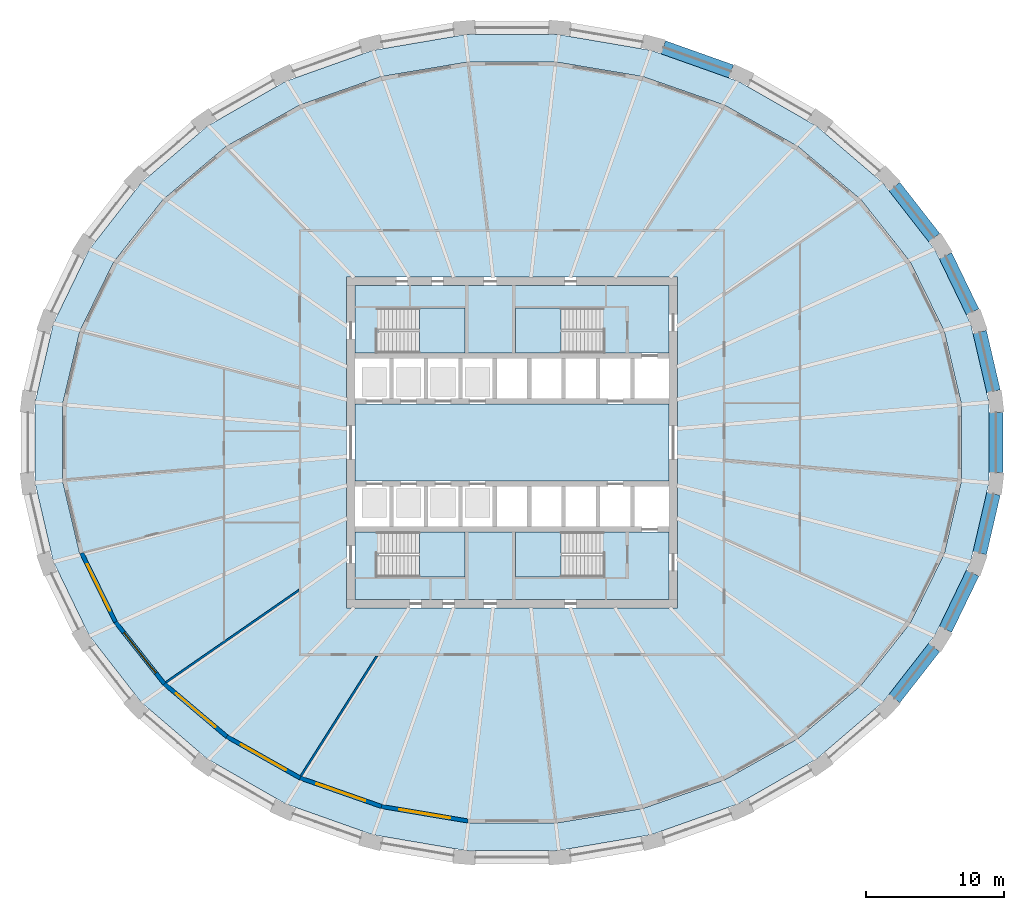
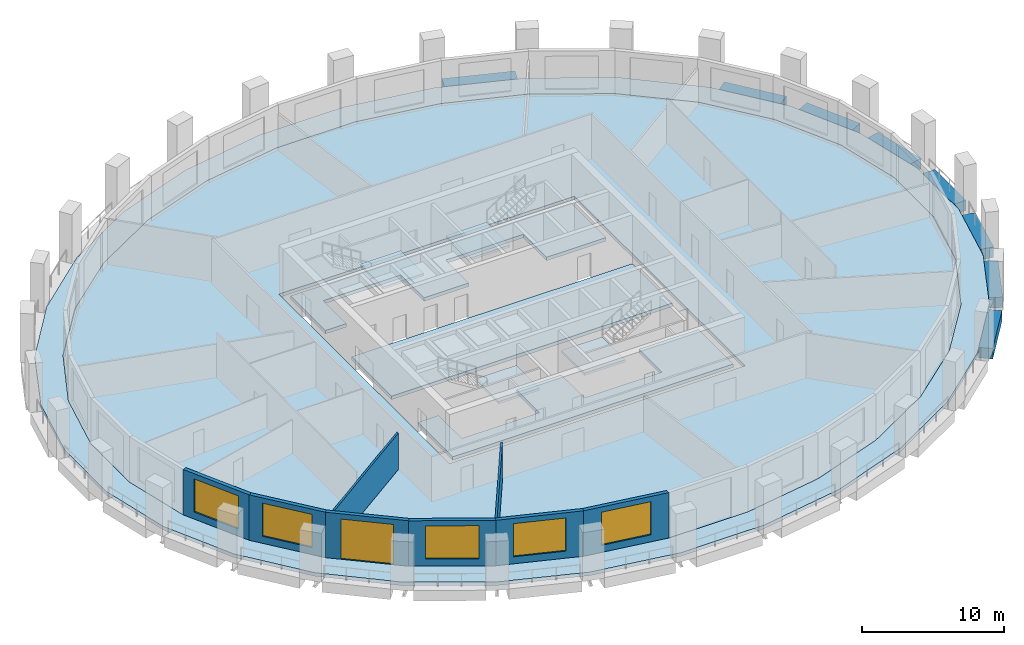
# One storey, part 2 of 10: 9 slabs, 8 beams, 8 walls, 5 windows, 1 door, 6 openings, 4 elements without a shape of their own.
"""IFC4 building model written with IfcOpenShell, lengths in metres."""

from ifc_helpers import new_model, si_unit, direction, frame, frame_2d, origin, origin_2d, place, context, subcontext, project, spatial, polyline, rectangle, outline, extrude, material, layer, layer_set, material_profile, profile_set, type_object, element, fill, aggregate, save


model = new_model("IFC4")

# Units and contexts
model_context = context("Model", 3, precision=1e-05, world=origin(), true_north=direction((0.0, 1.0)))
body_context = subcontext(model_context, "Body", "Model", "MODEL_VIEW")
ifc_project = project(units=[si_unit("LENGTHUNIT", "METRE"), si_unit("AREAUNIT", "SQUARE_METRE"), si_unit("VOLUMEUNIT", "CUBIC_METRE"), si_unit("PLANEANGLEUNIT", "RADIAN"), si_unit("MASSUNIT", "GRAM", prefix="KILO")], contexts=[model_context])

# Site, building, storey
site_placement = place(None, origin())
site = spatial("IfcSite", under=ifc_project, at=site_placement, CompositionType="ELEMENT")
building_placement = place(site_placement, origin())
building = spatial("IfcBuilding", under=site, at=building_placement, Name="Halqa Exchange Tower", CompositionType="ELEMENT")
storey_placement = place(building_placement, frame((0.0, 0.0, 108.699951171875)))
storey = spatial("IfcBuildingStorey", under=building, at=storey_placement, Name="L24", CompositionType="ELEMENT", Elevation=108.699951171875)

# Beams
ifc_material_1 = material(Name="Concrete C60/75", Category="concrete")
ifc_material_profile = material_profile(ifc_material_1, rectangle(XDim=1.0, YDim=0.89990234375, at=origin_2d()), Name="1000 x 900")
ifc_profile_set = profile_set([ifc_material_profile], Name="Concrete C60/75")
beam_type = type_object("IfcBeamType", Name="RC spandrel beam 1000 x 900 C60/75", PredefinedType="SPANDREL", material=ifc_profile_set)
beam_1_placement = place(storey_placement, frame((34.94384765625, 3.7216796875, -0.449951171875), z_axis=(-0.226062276551, 0.974112851327, 0.0), x_axis=(-0.974112851327, -0.226062276551, 0.0)))
element("IfcBeam", 1, at=beam_1_placement, inside=storey, type_object=beam_type, Name="Spandrel 1", PredefinedType="SPANDREL", context=body_context, shape_type="SweptSolid", body=[
    extrude(rectangle(XDim=1.0, YDim=0.89990234375, at=origin_2d()), origin(), (0.0, 0.0, 1.0), 4.4169921875),
])
beam_2_placement = place(storey_placement, frame((33.431640625, 9.480712890625, -0.449951171875), z_axis=(-0.435101676996, 0.900381325148, 0.0), x_axis=(-0.900381325148, -0.435101676996, 0.0)))
element("IfcBeam", 2, at=beam_2_placement, inside=storey, type_object=beam_type, Name="Spandrel 2", PredefinedType="SPANDREL", context=body_context, shape_type="SweptSolid", body=[
    extrude(rectangle(XDim=1.0, YDim=0.89990234375, at=origin_2d()), origin(), (0.0, 0.0, 1.0), 4.530517578125),
])
beam_3_placement = place(storey_placement, frame((30.64599609375, 14.870361328125, -0.449951171875), z_axis=(-0.614814102192, 0.788672060965, 0.0), x_axis=(-0.788672060965, -0.614814102192, 0.0)))
element("IfcBeam", 3, at=beam_3_placement, inside=storey, type_object=beam_type, Name="Spandrel 3", PredefinedType="SPANDREL", context=body_context, shape_type="SweptSolid", body=[
    extrude(rectangle(XDim=1.0, YDim=0.89990234375, at=origin_2d()), origin(), (0.0, 0.0, 1.0), 4.699951171875),
])
beam_4_placement = place(storey_placement, frame((15.905517578125, 26.935546875, -0.449951171875), z_axis=(-0.94236843099, 0.334576957177, 0.0), x_axis=(-0.334576957177, -0.94236843099, 0.0)))
element("IfcBeam", 4, at=beam_4_placement, inside=storey, type_object=beam_type, Name="Spandrel 6", PredefinedType="SPANDREL", context=body_context, shape_type="SweptSolid", body=[
    extrude(rectangle(XDim=1.0, YDim=0.89990234375, at=origin_2d()), origin(), (0.0, 0.0, 1.0), 5.23193359375),
])
beam_5_placement = place(storey_placement, frame((27.75634765625, -18.5771484375, -0.449951171875), z_axis=(0.614814102192, 0.788672060965, 0.0), x_axis=(-0.788672060965, 0.614814102192, 0.0)))
element("IfcBeam", 5, at=beam_5_placement, inside=storey, type_object=beam_type, Name="Spandrel 29", PredefinedType="SPANDREL", context=body_context, shape_type="SweptSolid", body=[
    extrude(rectangle(XDim=1.0, YDim=0.89990234375, at=origin_2d()), origin(), (0.0, 0.0, 1.0), 4.699951171875),
])
beam_6_placement = place(storey_placement, frame((31.46044921875, -13.559814453125, -0.449951171875), z_axis=(0.435101676996, 0.900381325148, 0.0), x_axis=(-0.900381325148, 0.435101676996, 0.0)))
element("IfcBeam", 6, at=beam_6_placement, inside=storey, type_object=beam_type, Name="Spandrel 30", PredefinedType="SPANDREL", context=body_context, shape_type="SweptSolid", body=[
    extrude(rectangle(XDim=1.0, YDim=0.89990234375, at=origin_2d()), origin(), (0.0, 0.0, 1.0), 4.530517578125),
])
beam_7_placement = place(storey_placement, frame((33.9453125, -8.0244140625, -0.449951171875), z_axis=(0.226062276551, 0.974112851327, 0.0), x_axis=(-0.974112851327, 0.226062276551, 0.0)))
element("IfcBeam", 7, at=beam_7_placement, inside=storey, type_object=beam_type, Name="Spandrel 31", PredefinedType="SPANDREL", context=body_context, shape_type="SweptSolid", body=[
    extrude(rectangle(XDim=1.0, YDim=0.89990234375, at=origin_2d()), origin(), (0.0, 0.0, 1.0), 4.4169921875),
])
beam_8_placement = place(storey_placement, frame((35.11962890625, -2.1875, -0.449951171875), z_axis=(0.0, 1.0, 0.0), x_axis=(-1.0, 0.0, 0.0)))
element("IfcBeam", 8, at=beam_8_placement, inside=storey, type_object=beam_type, Name="Spandrel 32", PredefinedType="SPANDREL", context=body_context, shape_type="SweptSolid", body=[
    extrude(rectangle(XDim=1.0, YDim=0.89990234375, at=origin_2d()), origin(), (0.0, 0.0, 1.0), 4.375),
])

# Slabs
ifc_layer_1 = layer(ifc_material_1, 0.300048828125)
ifc_layer_set_1 = layer_set([ifc_layer_1], Name="Concrete C60/75")
slab_type_1 = type_object("IfcSlabType", Name="Core floor slab 300", PredefinedType="FLOOR", material=ifc_layer_set_1)
slab_1_placement = place(storey_placement, frame((0.0, 0.0, -0.300048828125)))
element("IfcSlab", 9, at=slab_1_placement, inside=storey, type_object=slab_type_1, Name="Core floor slab", PredefinedType="FLOOR", context=body_context, shape_type="SweptSolid", body=[
    extrude(outline(polyline([(-11.39990234375, 2.800048828125), (11.39990234375, 2.800048828125), (11.39990234375, -2.800048828125), (-11.39990234375, -2.800048828125), (-11.39990234375, 2.800048828125)])), origin(), (0.0, 0.0, 1.0), 0.300048828125),
])
slab_2_placement = place(storey_placement, frame((0.0, 0.0, -0.300048828125)))
element("IfcSlab", 10, at=slab_2_placement, inside=storey, type_object=slab_type_1, Name="Core floor slab", PredefinedType="FLOOR", context=body_context, shape_type="SweptSolid", body=[
    extrude(outline(polyline([(-11.39990234375, 11.39990234375), (11.39990234375, 11.39990234375), (11.39990234375, 6.5), (6.550048828125, 6.5), (6.550048828125, 9.75), (0.25, 9.75), (0.25, 6.5), (-3.39990234375, 6.5), (-3.39990234375, 9.75), (-9.699951171875, 9.75), (-9.699951171875, 6.5), (-11.39990234375, 6.5), (-11.39990234375, 11.39990234375)])), origin(), (0.0, 0.0, 1.0), 0.300048828125),
])
slab_3_placement = place(storey_placement, frame((0.0, 0.0, -0.300048828125)))
element("IfcSlab", 11, at=slab_3_placement, inside=storey, type_object=slab_type_1, Name="Core floor slab", PredefinedType="FLOOR", context=body_context, shape_type="SweptSolid", body=[
    extrude(outline(polyline([(-9.699951171875, -9.75), (-3.39990234375, -9.75), (-3.39990234375, -6.5), (0.25, -6.5), (0.25, -9.75), (6.550048828125, -9.75), (6.550048828125, -6.5), (11.39990234375, -6.5), (11.39990234375, -11.39990234375), (-11.39990234375, -11.39990234375), (-11.39990234375, -6.5), (-9.699951171875, -6.5), (-9.699951171875, -9.75)])), origin(), (0.0, 0.0, 1.0), 0.300048828125),
])
ifc_material_2 = material(Name="Concrete C40/50", Category="concrete")
ifc_layer_2 = layer(ifc_material_2, 0.300048828125)
ifc_layer_set_2 = layer_set([ifc_layer_2], Name="Concrete C40/50")
slab_type_2 = type_object("IfcSlabType", Name="RC floor slab 300", PredefinedType="FLOOR", material=ifc_layer_set_2)
slab_4_placement = place(storey_placement, frame((0.0, 0.0, -0.300048828125)))
element("IfcSlab", 12, at=slab_4_placement, inside=storey, type_object=slab_type_2, Name="Floor slab", PredefinedType="FLOOR", context=body_context, shape_type="SweptSolid", body=[
    extrude(outline(polyline([(32.633056640625, 2.72509765625), (31.374755859375, 8.069580078125), (28.908447265625, 13.099853515625), (25.331298828125, 17.62255859375), (20.783203125, 21.465087890625), (15.439697265625, 24.4814453125), (9.506103515625, 26.557861328125), (3.20947265625, 27.615966796875), (-3.20947265625, 27.615966796875), (-9.506103515625, 26.557861328125), (-15.439697265625, 24.4814453125), (-20.783203125, 21.465087890625), (-25.331298828125, 17.62255859375), (-28.908447265625, 13.099853515625), (-31.374755859375, 8.069580078125), (-32.633056640625, 2.72509765625), (-32.633056640625, -2.72509765625), (-31.374755859375, -8.069580078125), (-28.908447265625, -13.099853515625), (-25.331298828125, -17.62255859375), (-20.783203125, -21.465087890625), (-15.439697265625, -24.4814453125), (-9.506103515625, -26.557861328125), (-3.20947265625, -27.615966796875), (3.20947265625, -27.615966796875), (9.506103515625, -26.557861328125), (15.439697265625, -24.4814453125), (20.783203125, -21.465087890625), (25.331298828125, -17.62255859375), (28.908447265625, -13.099853515625), (31.374755859375, -8.069580078125), (32.633056640625, -2.72509765625), (32.633056640625, 2.72509765625)]), holes=[polyline([(-12.0, -12.0), (12.0, -12.0), (12.0, 12.0), (-12.0, 12.0), (-12.0, -12.0)])]), origin(), (0.0, 0.0, 1.0), 0.300048828125),
])
ifc_layer_3 = layer(ifc_material_2, 0.300048828125)
ifc_layer_set_3 = layer_set([ifc_layer_3], Name="Concrete C40/50")
slab_type_3 = type_object("IfcSlabType", Name="RC loggia slab 300", PredefinedType="FLOOR", material=ifc_layer_set_3)
slab_5_placement = place(storey_placement, frame((0.0, 0.0, -0.300048828125)))
element("IfcSlab", 13, at=slab_5_placement, inside=storey, type_object=slab_type_3, Name="Loggia slab", PredefinedType="FLOOR", context=body_context, shape_type="SweptSolid", body=[
    extrude(outline(polyline([(34.61962890625, 2.907470703125), (34.61962890625, -2.907470703125), (33.29541015625, -8.61328125), (30.695556640625, -13.993408203125), (26.915771484375, -18.84228515625), (22.097900390625, -22.9716796875), (16.42578125, -26.22021484375), (10.117431640625, -28.4599609375), (3.416748046875, -29.602294921875), (-3.416748046875, -29.602294921875), (-10.117431640625, -28.4599609375), (-16.42578125, -26.22021484375), (-22.097900390625, -22.9716796875), (-26.915771484375, -18.84228515625), (-30.695556640625, -13.993408203125), (-33.29541015625, -8.61328125), (-34.61962890625, -2.907470703125), (-34.61962890625, 2.907470703125), (-33.29541015625, 8.61328125), (-30.695556640625, 13.993408203125), (-26.915771484375, 18.84228515625), (-22.097900390625, 22.9716796875), (-16.42578125, 26.22021484375), (-10.117431640625, 28.4599609375), (-3.416748046875, 29.602294921875), (3.416748046875, 29.602294921875), (10.117431640625, 28.4599609375), (16.42578125, 26.22021484375), (22.097900390625, 22.9716796875), (26.915771484375, 18.84228515625), (30.695556640625, 13.993408203125), (33.29541015625, 8.61328125), (34.61962890625, 2.907470703125)]), holes=[polyline([(32.633056640625, 2.72509765625), (31.374755859375, 8.069580078125), (28.908447265625, 13.099853515625), (25.331298828125, 17.62255859375), (20.783203125, 21.465087890625), (15.439697265625, 24.4814453125), (9.506103515625, 26.557861328125), (3.20947265625, 27.615966796875), (-3.20947265625, 27.615966796875), (-9.506103515625, 26.557861328125), (-15.439697265625, 24.4814453125), (-20.783203125, 21.465087890625), (-25.331298828125, 17.62255859375), (-28.908447265625, 13.099853515625), (-31.374755859375, 8.069580078125), (-32.633056640625, 2.72509765625), (-32.633056640625, -2.72509765625), (-31.374755859375, -8.069580078125), (-28.908447265625, -13.099853515625), (-25.331298828125, -17.62255859375), (-20.783203125, -21.465087890625), (-15.439697265625, -24.4814453125), (-9.506103515625, -26.557861328125), (-3.20947265625, -27.615966796875), (3.20947265625, -27.615966796875), (9.506103515625, -26.557861328125), (15.439697265625, -24.4814453125), (20.783203125, -21.465087890625), (25.331298828125, -17.62255859375), (28.908447265625, -13.099853515625), (31.374755859375, -8.069580078125), (32.633056640625, -2.72509765625), (32.633056640625, 2.72509765625)])]), origin(), (0.0, 0.0, 1.0), 0.300048828125),
])

# Stair, slab
ifc_material_3 = material(Name="Concrete C30/37", Category="concrete")
stair_type = type_object("IfcStairType", Name="Exit stair 1500 wide", PredefinedType="HALF_TURN_STAIR", material=ifc_material_3)
stair_1_placement = place(storey_placement, origin())
stair_1 = element("IfcStair", 14, at=stair_1_placement, inside=storey, type_object=stair_type, Name="Exit stair ST1", PredefinedType="HALF_TURN_STAIR")
ifc_layer_4 = layer(ifc_material_3, 0.199951171875)
ifc_layer_set_4 = layer_set([ifc_layer_4], Name="Concrete C30/37")
slab_type_4 = type_object("IfcSlabType", Name="Stair landing 200 slab", PredefinedType="LANDING", material=ifc_layer_set_4)
slab_6_placement = place(storey_placement, frame((0.0, 0.0, 1.900146484375)))
slab_6 = element("IfcSlab", 15, at=slab_6_placement, type_object=slab_type_4, Name="ST1 landing 1", PredefinedType="LANDING", context=body_context, shape_type="SweptSolid", body=[
    extrude(outline(polyline([(-6.719970703125, 6.5), (-3.39990234375, 6.5), (-3.39990234375, 9.75), (-6.719970703125, 9.75), (-6.719970703125, 6.5)])), origin(), (0.0, 0.0, 1.0), 0.199951171875),
])
aggregate(stair_1, [slab_6])

stair_2_placement = place(storey_placement, origin())
stair_2 = element("IfcStair", 16, at=stair_2_placement, inside=storey, type_object=stair_type, Name="Exit stair ST2", PredefinedType="HALF_TURN_STAIR")
slab_7_placement = place(storey_placement, frame((0.0, 0.0, 1.900146484375)))
slab_7 = element("IfcSlab", 17, at=slab_7_placement, type_object=slab_type_4, Name="ST2 landing 1", PredefinedType="LANDING", context=body_context, shape_type="SweptSolid", body=[
    extrude(outline(polyline([(0.25, 6.5), (3.570068359375, 6.5), (3.570068359375, 9.75), (0.25, 9.75), (0.25, 6.5)])), origin(), (0.0, 0.0, 1.0), 0.199951171875),
])
aggregate(stair_2, [slab_7])

stair_3_placement = place(storey_placement, origin())
stair_3 = element("IfcStair", 18, at=stair_3_placement, inside=storey, type_object=stair_type, Name="Exit stair ST3", PredefinedType="HALF_TURN_STAIR")
slab_8_placement = place(storey_placement, frame((0.0, 0.0, 1.900146484375)))
slab_8 = element("IfcSlab", 19, at=slab_8_placement, type_object=slab_type_4, Name="ST3 landing 1", PredefinedType="LANDING", context=body_context, shape_type="SweptSolid", body=[
    extrude(outline(polyline([(-6.719970703125, -9.75), (-3.39990234375, -9.75), (-3.39990234375, -6.5), (-6.719970703125, -6.5), (-6.719970703125, -9.75)])), origin(), (0.0, 0.0, 1.0), 0.199951171875),
])
aggregate(stair_3, [slab_8])

stair_4_placement = place(storey_placement, origin())
stair_4 = element("IfcStair", 20, at=stair_4_placement, inside=storey, type_object=stair_type, Name="Exit stair ST4", PredefinedType="HALF_TURN_STAIR")
slab_9_placement = place(storey_placement, frame((0.0, 0.0, 1.900146484375)))
slab_9 = element("IfcSlab", 21, at=slab_9_placement, type_object=slab_type_4, Name="ST4 landing 1", PredefinedType="LANDING", context=body_context, shape_type="SweptSolid", body=[
    extrude(outline(polyline([(0.25, -9.75), (3.570068359375, -9.75), (3.570068359375, -6.5), (0.25, -6.5), (0.25, -9.75)])), origin(), (0.0, 0.0, 1.0), 0.199951171875),
])
aggregate(stair_4, [slab_9])

# Walls
ifc_material_4 = material(Name="Fire-rated gypsum board")
ifc_layer_5 = layer(ifc_material_4, 0.14990234375)
ifc_layer_set_5 = layer_set([ifc_layer_5], Name="Fire-rated gypsum board")
wall_type_1 = type_object("IfcWallType", Name="Fire partition EI 60 150", PredefinedType="PARTITIONING", material=ifc_layer_set_5)
wall_1_placement = place(storey_placement, frame((-25.119873046875, -17.41357421875, 0.0), z_axis=(0.0, 0.0, 1.0), x_axis=(0.822008683907, 0.569474954306, 0.0)))
element("IfcWall", 22, at=wall_1_placement, inside=storey, type_object=wall_type_1, Name="L24-PWL-002", PredefinedType="PARTITIONING", context=body_context, shape_type="SweptSolid", body=[
    extrude(outline(polyline([(0.024169921875, -0.074951171875), (1.967041015625, -0.074951171875), (3.909912109375, -0.074951171875), (5.852783203125, -0.074951171875), (7.795654296875, -0.074951171875), (9.738525390625, -0.074951171875), (11.681396484375, -0.074951171875), (11.734375, 0.001708984375), (11.734375, 0.001708984375), (11.784912109375, 0.074462890625), (11.784912109375, 0.074951171875), (10.150390625, 0.074951171875), (8.515625, 0.074951171875), (6.881103515625, 0.074951171875), (5.246337890625, 0.074951171875), (5.24462890625, 0.072265625), (5.24072265625, 0.074951171875), (3.493896484375, 0.074951171875), (1.746826171875, 0.074951171875), (0.0, 0.074951171875), (0.0, 0.070068359375), (0.004638671875, -0.00244140625), (0.024169921875, -0.074951171875)])), origin(), (0.0, 0.0, 1.0), 3.130126953125),
])
wall_2_placement = place(storey_placement, frame((-9.76220703125, -15.43505859375, 0.0), z_axis=(0.0, 0.0, 1.0), x_axis=(-0.535189090909, -0.844732287161, 0.0)))
element("IfcWall", 23, at=wall_2_placement, inside=storey, type_object=wall_type_1, Name="L24-PWL-012", PredefinedType="PARTITIONING", context=body_context, shape_type="SweptSolid", body=[
    extrude(outline(polyline([(10.3857421875, -0.074951171875), (10.3857421875, -0.0693359375), (10.382080078125, 0.003662109375), (10.365478515625, 0.074951171875), (8.637939453125, 0.074951171875), (6.910400390625, 0.074951171875), (5.182861328125, 0.074951171875), (3.455078125, 0.074951171875), (1.7275390625, 0.074951171875), (0.0, 0.074951171875), (0.0, 0.07470703125), (0.0947265625, -0.074951171875), (1.809814453125, -0.074951171875), (3.525146484375, -0.074951171875), (5.240234375, -0.074951171875), (6.955322265625, -0.074951171875), (8.670654296875, -0.074951171875), (10.3857421875, -0.074951171875)])), origin(), (0.0, 0.0, 1.0), 3.14697265625),
])

# Wall, opening, window
ifc_material_5 = material(Name="Limestone cladding", Category="masonry")
ifc_layer_6 = layer(ifc_material_5, 0.0400390625)
ifc_material_6 = material(Name="Ventilated cavity")
ifc_layer_7 = layer(ifc_material_6, 0.030029296875, ventilated=True)
ifc_material_7 = material(Name="Mineral wool insulation")
ifc_layer_8 = layer(ifc_material_7, 0.10009765625)
ifc_layer_9 = layer(ifc_material_3, 0.10009765625)
ifc_material_8 = material(Name="Internal plaster")
ifc_layer_10 = layer(ifc_material_8, 0.030029296875)
ifc_layer_set_6 = layer_set([ifc_layer_6, ifc_layer_7, ifc_layer_8, ifc_layer_9, ifc_layer_10], Name="Stone-faced insulated wall 300")
wall_type_2 = type_object("IfcWallType", Name="Stone-faced insulated wall 300", PredefinedType="STANDARD", material=ifc_layer_set_6)
wall_3_placement = place(storey_placement, frame((-31.232666015625, -8.0185546875, 0.0), z_axis=(0.0, 0.0, 1.0), x_axis=(0.440238988749, -0.897880633929, 0.0)))
wall_3 = element("IfcWall", 24, at=wall_3_placement, inside=storey, type_object=wall_type_2, Name="Glass-line wall 18", PredefinedType="STANDARD", context=body_context, shape_type="SweptSolid", body=[
    extrude(outline(polyline([(-0.016845703125, -0.14990234375), (5.585693359375, -0.14990234375), (5.553466796875, 0.14990234375), (0.016845703125, 0.14990234375), (-0.016845703125, -0.14990234375)])), origin(), (0.0, 0.0, 1.0), 3.900146484375),
])
opening_1_placement = place(wall_3_placement, frame((0.90966796875, 0.0, 0.60009765625)))
opening_1 = element("IfcOpeningElement", 25, at=opening_1_placement, cuts=wall_3, Name="Opening W-F2-18", PredefinedType="OPENING", context=body_context, shape_type="SweptSolid", body=[
    extrude(rectangle(XDim=3.75, YDim=2.85009765625, at=frame_2d((1.875, 1.425048828125))), frame((0.0, 0.162109375, 0.0), z_axis=(0.0, -1.0, 0.0), x_axis=(1.0, 0.0, 0.0)), (0.0, 0.0, 1.0), 0.323974609375),
])
ifc_material_9 = material(Name="Clear low-emissivity glass in aluminium frame", Category="aluminium")
window_type = type_object("IfcWindowType", Name="Fixed clear glazed window 3750 x 2850", PartitioningType="TRIPLE_PANEL_VERTICAL", PredefinedType="WINDOW", material=ifc_material_9)
window_1_placement = place(opening_1_placement, origin())
window_1 = element("IfcWindow", 26, at=window_1_placement, inside=storey, type_object=window_type, Name="Window 2", OverallHeight=2.85009765625, OverallWidth=3.75, PartitioningType="TRIPLE_PANEL_VERTICAL", PredefinedType="WINDOW", context=body_context, shape_type="SweptSolid", body=[
    extrude(rectangle(XDim=3.75, YDim=2.85009765625, at=frame_2d((1.875, 1.425048828125))), frame((0.0, 0.030029296875, 0.0), z_axis=(0.0, -1.0, 0.0), x_axis=(1.0, 0.0, 0.0)), (0.0, 0.0, 1.0), 0.06005859375),
])
fill(opening_1, window_1)

wall_4_placement = place(storey_placement, frame((-28.78076171875, -13.019287109375, 0.0), z_axis=(0.0, 0.0, 1.0), x_axis=(0.620329992039, -0.784340934146, 0.0)))
wall_4 = element("IfcWall", 27, at=wall_4_placement, inside=storey, type_object=wall_type_2, Name="Glass-line wall 19", PredefinedType="STANDARD", context=body_context, shape_type="SweptSolid", body=[
    extrude(outline(polyline([(-0.01611328125, -0.14990234375), (5.75048828125, -0.14990234375), (5.72021484375, 0.14990234375), (0.01611328125, 0.14990234375), (-0.01611328125, -0.14990234375)])), origin(), (0.0, 0.0, 1.0), 3.900146484375),
])
opening_2_placement = place(wall_4_placement, frame((0.99267578125, 0.0, 0.60009765625)))
opening_2 = element("IfcOpeningElement", 28, at=opening_2_placement, cuts=wall_4, Name="Opening W-F2-19", PredefinedType="OPENING", context=body_context, shape_type="SweptSolid", body=[
    extrude(rectangle(XDim=3.75, YDim=2.85009765625, at=frame_2d((1.875, 1.425048828125))), frame((0.0, 0.162109375, 0.0), z_axis=(0.0, -1.0, 0.0), x_axis=(1.0, 0.0, 0.0)), (0.0, 0.0, 1.0), 0.323974609375),
])
window_2_placement = place(opening_2_placement, origin())
window_2 = element("IfcWindow", 29, at=window_2_placement, inside=storey, type_object=window_type, Name="Window 2", OverallHeight=2.85009765625, OverallWidth=3.75, PartitioningType="TRIPLE_PANEL_VERTICAL", PredefinedType="WINDOW", context=body_context, shape_type="SweptSolid", body=[
    extrude(rectangle(XDim=3.75, YDim=2.85009765625, at=frame_2d((1.875, 1.425048828125))), frame((0.0, 0.030029296875, 0.0), z_axis=(0.0, -1.0, 0.0), x_axis=(1.0, 0.0, 0.0)), (0.0, 0.0, 1.0), 0.06005859375),
])
fill(opening_2, window_2)

# Wall, opening, door
wall_5_placement = place(storey_placement, frame((-25.222900390625, -17.517822265625, 0.0), z_axis=(0.0, 0.0, 1.0), x_axis=(0.763894031266, -0.645341699409, 0.0)))
wall_5 = element("IfcWall", 30, at=wall_5_placement, inside=storey, type_object=wall_type_2, Name="Glass-line wall 20", PredefinedType="STANDARD", context=body_context, shape_type="SweptSolid", body=[
    extrude(outline(polyline([(-0.01513671875, -0.14990234375), (5.93896484375, -0.14990234375), (5.91064453125, 0.14990234375), (0.01513671875, 0.14990234375), (-0.01513671875, -0.14990234375)])), origin(), (0.0, 0.0, 1.0), 3.900146484375),
])
opening_3_placement = place(wall_5_placement, frame((1.08740234375, 0.0, 0.0)))
opening_3 = element("IfcOpeningElement", 31, at=opening_3_placement, cuts=wall_5, Name="Opening LG-F2-05", PredefinedType="OPENING", context=body_context, shape_type="SweptSolid", body=[
    extrude(rectangle(XDim=3.75, YDim=3.449951171875, at=frame_2d((1.875, 1.72509765625))), frame((0.0, 0.162109375, 0.0), z_axis=(0.0, -1.0, 0.0), x_axis=(1.0, 0.0, 0.0)), (0.0, 0.0, 1.0), 0.323974609375),
])
door_type = type_object("IfcDoorType", Name="Glazed sliding loggia door 3750 x 3450", OperationType="DOUBLE_DOOR_SLIDING", PredefinedType="DOOR", material=ifc_material_9)
door_placement = place(opening_3_placement, origin())
door = element("IfcDoor", 32, at=door_placement, inside=storey, type_object=door_type, Name="Loggia door 5", OperationType="DOUBLE_DOOR_SLIDING", OverallHeight=3.449951171875, OverallWidth=3.75, PredefinedType="DOOR", context=body_context, shape_type="SweptSolid", body=[
    extrude(rectangle(XDim=3.75, YDim=3.449951171875, at=frame_2d((1.875, 1.72509765625))), frame((0.0, 0.02490234375, 0.0), z_axis=(0.0, -1.0, 0.0), x_axis=(1.0, 0.0, 0.0)), (0.0, 0.0, 1.0), 0.050048828125),
])
fill(opening_3, door)

# Wall, opening, window
wall_6_placement = place(storey_placement, frame((-20.697021484375, -21.34130859375, 0.0), z_axis=(0.0, 0.0, 1.0), x_axis=(0.870828448417, -0.491587035455, 0.0)))
wall_6 = element("IfcWall", 33, at=wall_6_placement, inside=storey, type_object=wall_type_2, Name="Glass-line wall 21", PredefinedType="STANDARD", context=body_context, shape_type="SweptSolid", body=[
    extrude(outline(polyline([(-0.01416015625, -0.14990234375), (6.1220703125, -0.14990234375), (6.09521484375, 0.14990234375), (0.01416015625, 0.14990234375), (-0.01416015625, -0.14990234375)])), origin(), (0.0, 0.0, 1.0), 3.900146484375),
])
opening_4_placement = place(wall_6_placement, frame((1.17919921875, 0.0, 0.60009765625)))
opening_4 = element("IfcOpeningElement", 34, at=opening_4_placement, cuts=wall_6, Name="Opening W-F2-21", PredefinedType="OPENING", context=body_context, shape_type="SweptSolid", body=[
    extrude(rectangle(XDim=3.75, YDim=2.85009765625, at=frame_2d((1.875, 1.425048828125))), frame((0.0, 0.162109375, 0.0), z_axis=(0.0, -1.0, 0.0), x_axis=(1.0, 0.0, 0.0)), (0.0, 0.0, 1.0), 0.323974609375),
])
window_3_placement = place(opening_4_placement, origin())
window_3 = element("IfcWindow", 35, at=window_3_placement, inside=storey, type_object=window_type, Name="Window 2", OverallHeight=2.85009765625, OverallWidth=3.75, PartitioningType="TRIPLE_PANEL_VERTICAL", PredefinedType="WINDOW", context=body_context, shape_type="SweptSolid", body=[
    extrude(rectangle(XDim=3.75, YDim=2.85009765625, at=frame_2d((1.875, 1.425048828125))), frame((0.0, 0.030029296875, 0.0), z_axis=(0.0, -1.0, 0.0), x_axis=(1.0, 0.0, 0.0)), (0.0, 0.0, 1.0), 0.06005859375),
])
fill(opening_4, window_3)

wall_7_placement = place(storey_placement, frame((-15.37744140625, -24.34423828125, 0.0), z_axis=(0.0, 0.0, 1.0), x_axis=(0.943866868202, -0.330326104193, 0.0)))
wall_7 = element("IfcWall", 36, at=wall_7_placement, inside=storey, type_object=wall_type_2, Name="Glass-line wall 22", PredefinedType="STANDARD", context=body_context, shape_type="SweptSolid", body=[
    extrude(outline(polyline([(-0.013427734375, -0.14990234375), (6.272705078125, -0.14990234375), (6.247314453125, 0.14990234375), (0.013427734375, 0.14990234375), (-0.013427734375, -0.14990234375)])), origin(), (0.0, 0.0, 1.0), 3.900146484375),
])
opening_5_placement = place(wall_7_placement, frame((1.255126953125, 0.0, 0.60009765625)))
opening_5 = element("IfcOpeningElement", 37, at=opening_5_placement, cuts=wall_7, Name="Opening W-F2-22", PredefinedType="OPENING", context=body_context, shape_type="SweptSolid", body=[
    extrude(rectangle(XDim=3.75, YDim=2.85009765625, at=frame_2d((1.875, 1.425048828125))), frame((0.0, 0.162109375, 0.0), z_axis=(0.0, -1.0, 0.0), x_axis=(1.0, 0.0, 0.0)), (0.0, 0.0, 1.0), 0.323974609375),
])
window_4_placement = place(opening_5_placement, origin())
window_4 = element("IfcWindow", 38, at=window_4_placement, inside=storey, type_object=window_type, Name="Window 2", OverallHeight=2.85009765625, OverallWidth=3.75, PartitioningType="TRIPLE_PANEL_VERTICAL", PredefinedType="WINDOW", context=body_context, shape_type="SweptSolid", body=[
    extrude(rectangle(XDim=3.75, YDim=2.85009765625, at=frame_2d((1.875, 1.425048828125))), frame((0.0, 0.030029296875, 0.0), z_axis=(0.0, -1.0, 0.0), x_axis=(1.0, 0.0, 0.0)), (0.0, 0.0, 1.0), 0.06005859375),
])
fill(opening_5, window_4)

wall_8_placement = place(storey_placement, frame((-9.46875, -26.412109375, 0.0), z_axis=(0.0, 0.0, 1.0), x_axis=(0.986178310488, -0.165687476666, 0.0)))
wall_8 = element("IfcWall", 39, at=wall_8_placement, inside=storey, type_object=wall_type_2, Name="Glass-line wall 23", PredefinedType="STANDARD", context=body_context, shape_type="SweptSolid", body=[
    extrude(outline(polyline([(-0.0126953125, -0.14990234375), (6.3720703125, -0.14990234375), (6.34716796875, 0.14990234375), (0.0126953125, 0.14990234375), (-0.0126953125, -0.14990234375)])), origin(), (0.0, 0.0, 1.0), 3.900146484375),
])
opening_6_placement = place(wall_8_placement, frame((1.3046875, 0.0, 0.60009765625)))
opening_6 = element("IfcOpeningElement", 40, at=opening_6_placement, cuts=wall_8, Name="Opening W-F2-23", PredefinedType="OPENING", context=body_context, shape_type="SweptSolid", body=[
    extrude(rectangle(XDim=3.75, YDim=2.85009765625, at=frame_2d((1.875, 1.425048828125))), frame((0.0, 0.162109375, 0.0), z_axis=(0.0, -1.0, 0.0), x_axis=(1.0, 0.0, 0.0)), (0.0, 0.0, 1.0), 0.323974609375),
])
window_5_placement = place(opening_6_placement, origin())
window_5 = element("IfcWindow", 41, at=window_5_placement, inside=storey, type_object=window_type, Name="Window 2", OverallHeight=2.85009765625, OverallWidth=3.75, PartitioningType="TRIPLE_PANEL_VERTICAL", PredefinedType="WINDOW", context=body_context, shape_type="SweptSolid", body=[
    extrude(rectangle(XDim=3.75, YDim=2.85009765625, at=frame_2d((1.875, 1.425048828125))), frame((0.0, 0.030029296875, 0.0), z_axis=(0.0, -1.0, 0.0), x_axis=(1.0, 0.0, 0.0)), (0.0, 0.0, 1.0), 0.06005859375),
])
fill(opening_6, window_5)

save(model, "model.ifc")
